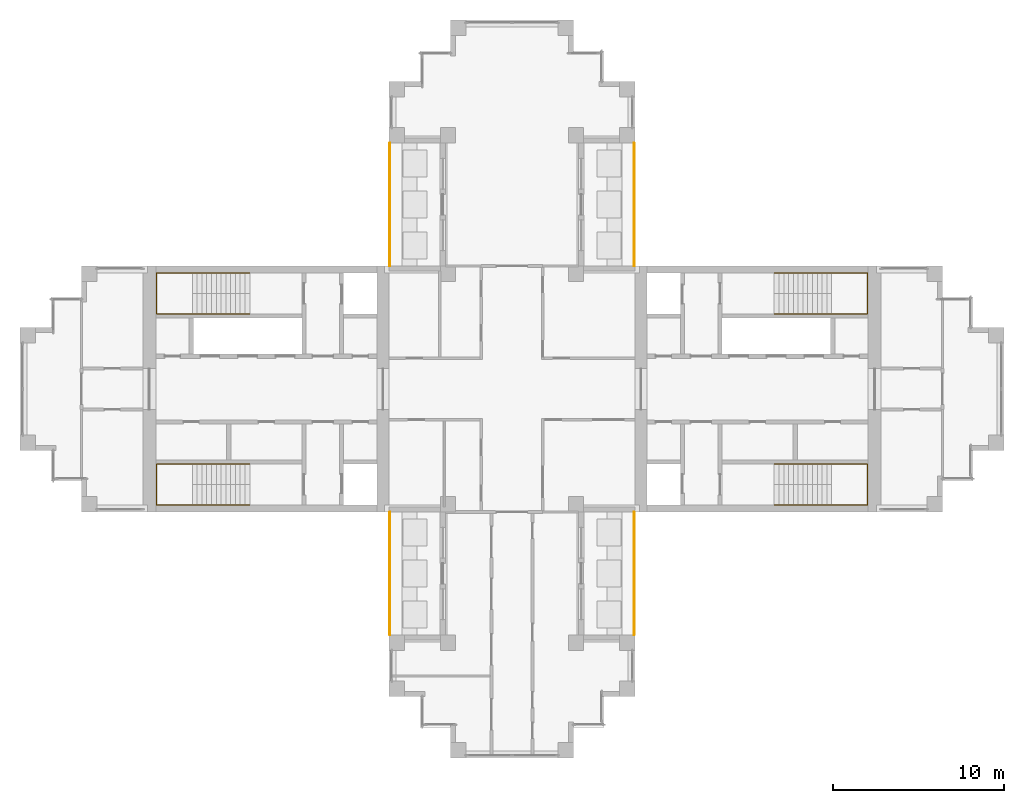
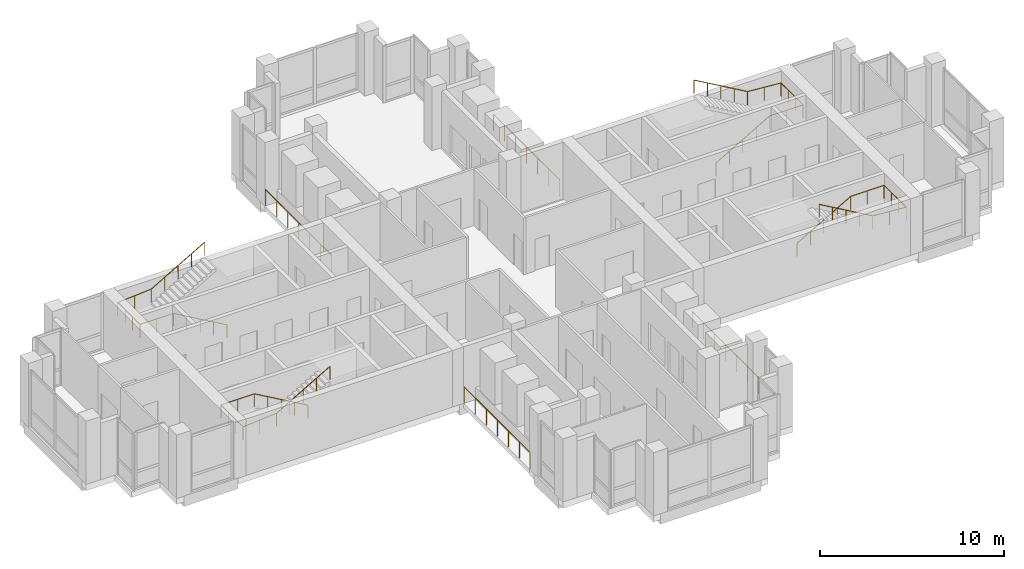
# One storey, part 12 of 13: 8 railings.
"""IFC4 building model written with IfcOpenShell, lengths in metres."""

import ifcopenshell
import ifcopenshell.guid

model = None  # the IFC model being written
_history = None  # IfcOwnerHistory: only IFC2X3 demands one
_inside = {}  # id of a spatial element -> (the spatial element, [elements in it])
_under = {}  # id of a project, library or spatial element -> (it, [spatial elements below it])
_declared = {}  # id of a project -> (the project, [libraries it declares])
_typed = {}  # id of a type object -> (the type object, [elements of that type])
_made_of = {}  # id of a material, layer set ... -> (it, [elements and type objects made of it])


def new_model(schema):
    """Start an empty IFC model of exactly this schema.

    Asked for "IFC4X3", IfcOpenShell would pick the latest addendum, in which some entities
    have other attributes; the version numbers below select the first issue.
    IFC2X3 requires an IfcOwnerHistory on every rooted entity: one is made here for all.
    """
    global model, _history
    if schema == "IFC4X3":
        model = ifcopenshell.file(schema_version=(4, 3, 0, 0))
    else:
        model = ifcopenshell.file(schema=schema)
    _inside.clear()
    _under.clear()
    _declared.clear()
    _typed.clear()
    _made_of.clear()
    _history = None
    if model.schema == "IFC2X3":
        org = make("IfcOrganization", Name="unknown")
        user = make(
            "IfcPersonAndOrganization",
            ThePerson=make("IfcPerson", FamilyName="unknown"),
            TheOrganization=org,
        )
        app = make(
            "IfcApplication",
            ApplicationDeveloper=org,
            Version="unknown",
            ApplicationFullName="unknown",
            ApplicationIdentifier="unknown",
        )
        _history = make(
            "IfcOwnerHistory",
            OwningUser=user,
            OwningApplication=app,
            ChangeAction="ADDED",
            CreationDate=0,
        )
    return model


def make(cls, **values):
    """One entity of the class cls with the attributes given. An attribute that is None is left unset."""
    return model.create_entity(
        cls, **{name: value for name, value in values.items() if value is not None}
    )


def rooted(cls, **values):
    """An entity with a GlobalId (a new one), such as an element, a storey or a relation."""
    return make(cls, GlobalId=ifcopenshell.guid.new(), OwnerHistory=_history, **values)


def si_unit(unit_type, name, prefix=None):
    """IfcSIUnit, for example si_unit("LENGTHUNIT", "METRE", prefix="MILLI")."""
    return make("IfcSIUnit", UnitType=unit_type, Prefix=prefix, Name=name)


def assignment(units):
    """IfcUnitAssignment: the units of a project."""
    return None if units is None else make("IfcUnitAssignment", Units=units)


def point(xyz):
    """IfcCartesianPoint."""
    return None if xyz is None else make("IfcCartesianPoint", Coordinates=xyz)


def direction(xyz):
    """IfcDirection."""
    return None if xyz is None else make("IfcDirection", DirectionRatios=xyz)


def frame(location, z_axis=None, x_axis=None):
    """IfcAxis2Placement3D, a coordinate frame: its origin and axes. An axis left out is left unset."""
    return make(
        "IfcAxis2Placement3D",
        Location=point(location),
        Axis=direction(z_axis),
        RefDirection=direction(x_axis),
    )


def frame_2d(location, x_axis=None):
    """IfcAxis2Placement2D, a coordinate frame in the plane: its origin and x axis."""
    return make(
        "IfcAxis2Placement2D", Location=point(location), RefDirection=direction(x_axis)
    )


def origin():
    """The frame at (0, 0, 0) with its axes left unset."""
    return frame((0.0, 0.0, 0.0))


def origin_2d():
    """The frame at (0, 0) in the plane with its x axis left unset."""
    return frame_2d((0.0, 0.0))


def place(relative_to, where):
    """IfcLocalPlacement: puts the frame where relative to a parent placement (None: the world)."""
    return make(
        "IfcLocalPlacement", PlacementRelTo=relative_to, RelativePlacement=where
    )


def context(
    kind, dimensions, precision=None, world=None, true_north=None, identifier=None
):
    """IfcGeometricRepresentationContext, for example the 3D "Model" context."""
    return make(
        "IfcGeometricRepresentationContext",
        ContextIdentifier=identifier,
        ContextType=kind,
        CoordinateSpaceDimension=dimensions,
        Precision=precision,
        WorldCoordinateSystem=world,
        TrueNorth=true_north,
    )


def subcontext(parent, identifier, kind, view, scale=None):
    """IfcGeometricRepresentationSubContext, for example "Body" below "Model"."""
    return make(
        "IfcGeometricRepresentationSubContext",
        ContextIdentifier=identifier,
        ContextType=kind,
        ParentContext=parent,
        TargetScale=scale,
        TargetView=view,
    )


def project(units=None, contexts=None):
    """IfcProject with its units and contexts."""
    return rooted(
        "IfcProject",
        Name="project",
        RepresentationContexts=contexts,
        UnitsInContext=assignment(units),
    )


def spatial(cls, under=None, at=None, **own):
    """A site, building, storey or space (cls), placed at a placement, below another one or the project."""
    s = rooted(cls, ObjectPlacement=at, **own)
    if under is not None:
        _under.setdefault(under.id(), (under, []))[1].append(s)
    return s


def profile(cls, at=None, kind="AREA", **sizes):
    """A parametric profile (cls). Its sizes go by their IFC names, for example OverallWidth=200.0."""
    return make(cls, ProfileType=kind, Position=at, **sizes)


def circle(**sizes):
    """IfcCircleProfileDef."""
    return profile("IfcCircleProfileDef", **sizes)


def extrude(swept, where, along, depth):
    """IfcExtrudedAreaSolid: the profile swept, set in the frame where, extruded along a direction by depth."""
    return make(
        "IfcExtrudedAreaSolid",
        SweptArea=swept,
        Position=where,
        ExtrudedDirection=direction(along),
        Depth=depth,
    )


def shape(context_of_items, identifier, shape_type, items):
    """IfcShapeRepresentation: the items that make up one representation, for example the "Body"."""
    return make(
        "IfcShapeRepresentation",
        ContextOfItems=context_of_items,
        RepresentationIdentifier=identifier,
        RepresentationType=shape_type,
        Items=items,
    )


def material(Name=None, Category=None):
    """IfcMaterial."""
    return make("IfcMaterial", Name=Name, Category=Category)


def made_of(thing, what):
    """Note that an element or type object is made of a material, layer set ...; save() writes the relation."""
    if what is not None:
        _made_of.setdefault(what.id(), (what, []))[1].append(thing)
    return thing


def type_object(cls, material=None, **own):
    """A type object (cls), such as IfcWallType, which elements share."""
    return made_of(rooted(cls, **own), material)


def element(
    cls,
    number,
    at=None,
    inside=None,
    cuts=None,
    type_object=None,
    material=None,
    context=None,
    identifier="Body",
    shape_type=None,
    held_by="IfcProductDefinitionShape",
    body=None,
    shapes=None,
    **own,
):
    """One element of the class cls, such as IfcWall. Its Tag is "e" and its number.

    at: its placement. inside: the storey or other place that contains it. cuts: it is an
    opening in that element (IfcRelVoidsElement). A single representation is given by context,
    identifier, shape_type and body (its items); several are given by shapes. held_by: the class
    of the entity that holds the representations. save() writes the other relations.
    """
    e = rooted(cls, Tag="e%d" % number, ObjectPlacement=at, **own)
    if body is not None:
        shapes = [shape(context, identifier, shape_type, body)]
    if shapes is not None:
        e.Representation = make(held_by, Representations=shapes)
    if inside is not None:
        _inside.setdefault(inside.id(), (inside, []))[1].append(e)
    if cuts is not None:
        rooted(
            "IfcRelVoidsElement", RelatingBuildingElement=cuts, RelatedOpeningElement=e
        )
    if type_object is not None:
        _typed.setdefault(type_object.id(), (type_object, []))[1].append(e)
    return made_of(e, material)


def aggregate(whole, parts):
    """IfcRelAggregates: a whole, such as a stair, and the parts it consists of."""
    return rooted("IfcRelAggregates", RelatingObject=whole, RelatedObjects=parts)


def save(model, path):
    """Write the relations noted so far, then the file.

    IfcRelAggregates (storeys below a building ...), IfcRelContainedInSpatialStructure (elements
    in a storey), IfcRelDefinesByType, IfcRelAssociatesMaterial and IfcRelDeclares: one each for
    every whole, place, type object, material and project.
    """
    for whole, parts in _under.values():
        aggregate(whole, parts)
    for where, things in _inside.values():
        rooted(
            "IfcRelContainedInSpatialStructure",
            RelatedElements=things,
            RelatingStructure=where,
        )
    for kind, things in _typed.values():
        rooted("IfcRelDefinesByType", RelatedObjects=things, RelatingType=kind)
    for what, things in _made_of.values():
        rooted("IfcRelAssociatesMaterial", RelatedObjects=things, RelatingMaterial=what)
    for by, libraries in _declared.values():
        rooted("IfcRelDeclares", RelatingContext=by, RelatedDefinitions=libraries)
    model.write(path)


model = new_model("IFC4")

# Units and contexts
model_context = context("Model", 3, precision=1e-05, world=origin(), true_north=direction((0.0, 1.0)))
body_context = subcontext(model_context, "Body", "Model", "MODEL_VIEW")
ifc_project = project(units=[si_unit("LENGTHUNIT", "METRE"), si_unit("AREAUNIT", "SQUARE_METRE"), si_unit("VOLUMEUNIT", "CUBIC_METRE"), si_unit("PLANEANGLEUNIT", "RADIAN"), si_unit("MASSUNIT", "GRAM", prefix="KILO")], contexts=[model_context])

# Site, building, storey
site_placement = place(None, origin())
site = spatial("IfcSite", under=ifc_project, at=site_placement, CompositionType="ELEMENT")
building_placement = place(site_placement, origin())
building = spatial("IfcBuilding", under=site, at=building_placement, Name="Fustian Cross Tower", CompositionType="ELEMENT")
storey_placement = place(building_placement, frame((0.0, 0.0, 237.89990234375)))
storey = spatial("IfcBuildingStorey", under=building, at=storey_placement, Name="L75", CompositionType="ELEMENT", Elevation=237.89990234375)

# Railings
ifc_material_1 = material(Name="Stainless steel and glass", Category="steel")
railing_type_1 = type_object("IfcRailingType", Name="GR1 BALCONY GUARD 1100", PredefinedType="GUARDRAIL", material=ifc_material_1)
for number, where, name in (
    (1, (7.14990234375, 7.199951171875, 0.0), "Balcony guard"),
    (2, (-7.14990234375, 7.199951171875, 0.0), "Balcony guard"),
    (3, (7.14990234375, -14.39990234375, 0.0), "Balcony guard"),
    (4, (-7.14990234375, -14.39990234375, 0.0), "Balcony guard"),
):
    element("IfcRailing", number, at=place(storey_placement, frame(where)), inside=storey, type_object=railing_type_1, Name=name, PredefinedType="GUARDRAIL", context=body_context, shape_type="SweptSolid", body=[
        extrude(circle(Radius=0.02392578125, at=origin_2d()), frame((0.0, 0.0, 1.076171875), z_axis=(0.0, 1.0, 0.0), x_axis=(-1.0, 0.0, 0.0)), (0.0, 0.0, 1.0), 7.199951171875),
        extrude(circle(Radius=0.02099609375, at=origin_2d()), origin(), (0.0, 0.0, 1.0), 1.052001953125),
        extrude(circle(Radius=0.02099609375, at=origin_2d()), frame((0.0, 1.199951171875, 0.0)), (0.0, 0.0, 1.0), 1.052001953125),
        extrude(circle(Radius=0.02099609375, at=origin_2d()), frame((0.0, 2.39990234375, 0.0)), (0.0, 0.0, 1.0), 1.052001953125),
        extrude(circle(Radius=0.02099609375, at=origin_2d()), frame((0.0, 3.60009765625, 0.0)), (0.0, 0.0, 1.0), 1.052001953125),
        extrude(circle(Radius=0.02099609375, at=origin_2d()), frame((0.0, 4.800048828125, 0.0)), (0.0, 0.0, 1.0), 1.052001953125),
        extrude(circle(Radius=0.02099609375, at=origin_2d()), frame((0.0, 6.0, 0.0)), (0.0, 0.0, 1.0), 1.052001953125),
        extrude(circle(Radius=0.02099609375, at=origin_2d()), frame((0.0, 7.199951171875, 0.0)), (0.0, 0.0, 1.0), 1.052001953125),
    ])
ifc_material_2 = material(Name="Stainless steel", Category="steel")
railing_type_2 = type_object("IfcRailingType", Name="STAIR HANDRAIL", PredefinedType="HANDRAIL", material=ifc_material_2)
railing_1_placement = place(storey_placement, frame((15.35009765625, 4.39990234375, 0.16162109375)))
element("IfcRailing", 5, at=railing_1_placement, inside=storey, type_object=railing_type_2, Name="Stair ST1 handrail 1", PredefinedType="HANDRAIL", context=body_context, shape_type="SweptSolid", body=[
    extrude(circle(Radius=0.02490234375, at=origin_2d()), frame((0.0, 0.0, 0.875), z_axis=(0.866175107563, 0.0, 0.499740615757), x_axis=(0.0, 1.0, 0.0)), (0.0, 0.0, 1.0), 3.87890625),
    extrude(circle(Radius=0.02490234375, at=origin_2d()), frame((3.35986328125, 0.0, 2.8134765625), z_axis=(1.0, 0.0, 0.0), x_axis=(0.0, 1.0, 0.0)), (0.0, 0.0, 1.0), 2.10009765625),
    extrude(circle(Radius=0.02490234375, at=origin_2d()), frame((5.4599609375, 0.0, 2.8134765625), z_axis=(0.0, 1.0, 0.0), x_axis=(-1.0, 0.0, 0.0)), (0.0, 0.0, 1.0), 2.400146484375),
    extrude(circle(Radius=0.02490234375, at=origin_2d()), frame((5.4599609375, 2.400146484375, 2.8134765625), z_axis=(-0.997051757594, 0.0, 0.076731953444), x_axis=(0.0, -1.0, 0.0)), (0.0, 0.0, 1.0), 2.106201171875),
    extrude(circle(Radius=0.02490234375, at=origin_2d()), frame((3.35986328125, 2.400146484375, 2.97509765625), z_axis=(-0.866175107563, 0.0, 0.499740615757), x_axis=(0.0, -1.0, 0.0)), (0.0, 0.0, 1.0), 3.87890625),
    extrude(circle(Radius=0.02001953125, at=origin_2d()), origin(), (0.0, 0.0, 1.0), 0.849853515625),
    extrude(circle(Radius=0.02001953125, at=origin_2d()), frame((0.83984375, 0.0, 0.484619140625)), (0.0, 0.0, 1.0), 0.849853515625),
    extrude(circle(Radius=0.02001953125, at=origin_2d()), frame((1.679931640625, 0.0, 0.96923828125)), (0.0, 0.0, 1.0), 0.849853515625),
    extrude(circle(Radius=0.02001953125, at=origin_2d()), frame((2.52001953125, 0.0, 1.453857421875)), (0.0, 0.0, 1.0), 0.849853515625),
    extrude(circle(Radius=0.02001953125, at=origin_2d()), frame((3.35986328125, 0.0, 1.9384765625)), (0.0, 0.0, 1.0), 0.849853515625),
    extrude(circle(Radius=0.02001953125, at=origin_2d()), frame((4.409912109375, 0.0, 1.9384765625)), (0.0, 0.0, 1.0), 0.849853515625),
    extrude(circle(Radius=0.02001953125, at=origin_2d()), frame((5.4599609375, 0.0, 1.9384765625)), (0.0, 0.0, 1.0), 0.849853515625),
    extrude(circle(Radius=0.02001953125, at=origin_2d()), frame((5.4599609375, 0.800048828125, 1.9384765625)), (0.0, 0.0, 1.0), 0.849853515625),
    extrude(circle(Radius=0.02001953125, at=origin_2d()), frame((5.4599609375, 1.60009765625, 1.9384765625)), (0.0, 0.0, 1.0), 0.849853515625),
    extrude(circle(Radius=0.02001953125, at=origin_2d()), frame((5.4599609375, 2.400146484375, 1.9384765625)), (0.0, 0.0, 1.0), 0.849853515625),
    extrude(circle(Radius=0.02001953125, at=origin_2d()), frame((4.409912109375, 2.400146484375, 2.019287109375)), (0.0, 0.0, 1.0), 0.849853515625),
    extrude(circle(Radius=0.02001953125, at=origin_2d()), frame((3.35986328125, 2.400146484375, 2.10009765625)), (0.0, 0.0, 1.0), 0.849853515625),
    extrude(circle(Radius=0.02001953125, at=origin_2d()), frame((2.52001953125, 2.400146484375, 2.584716796875)), (0.0, 0.0, 1.0), 0.849853515625),
    extrude(circle(Radius=0.02001953125, at=origin_2d()), frame((1.679931640625, 2.400146484375, 3.0693359375)), (0.0, 0.0, 1.0), 0.849853515625),
    extrude(circle(Radius=0.02001953125, at=origin_2d()), frame((0.83984375, 2.400146484375, 3.553955078125)), (0.0, 0.0, 1.0), 0.849853515625),
    extrude(circle(Radius=0.02001953125, at=origin_2d()), frame((0.0, 2.400146484375, 4.03857421875)), (0.0, 0.0, 1.0), 0.849853515625),
])
railing_2_placement = place(storey_placement, frame((15.35009765625, -4.39990234375, 0.16162109375)))
element("IfcRailing", 6, at=railing_2_placement, inside=storey, type_object=railing_type_2, Name="Stair ST2 handrail 1", PredefinedType="HANDRAIL", context=body_context, shape_type="SweptSolid", body=[
    extrude(circle(Radius=0.02490234375, at=origin_2d()), frame((0.0, 0.0, 0.875), z_axis=(0.866175107563, 0.0, 0.499740615757), x_axis=(0.0, 1.0, 0.0)), (0.0, 0.0, 1.0), 3.87890625),
    extrude(circle(Radius=0.02490234375, at=origin_2d()), frame((3.35986328125, 0.0, 2.8134765625), z_axis=(1.0, 0.0, 0.0), x_axis=(0.0, 1.0, 0.0)), (0.0, 0.0, 1.0), 2.10009765625),
    extrude(circle(Radius=0.02490234375, at=origin_2d()), frame((5.4599609375, 0.0, 2.8134765625), z_axis=(0.0, -1.0, 0.0), x_axis=(1.0, 0.0, 0.0)), (0.0, 0.0, 1.0), 2.400146484375),
    extrude(circle(Radius=0.02490234375, at=origin_2d()), frame((5.4599609375, -2.400146484375, 2.8134765625), z_axis=(-0.997051757594, 0.0, 0.076731953444), x_axis=(0.0, -1.0, 0.0)), (0.0, 0.0, 1.0), 2.106201171875),
    extrude(circle(Radius=0.02490234375, at=origin_2d()), frame((3.35986328125, -2.400146484375, 2.97509765625), z_axis=(-0.866175107563, 0.0, 0.499740615757), x_axis=(0.0, -1.0, 0.0)), (0.0, 0.0, 1.0), 3.87890625),
    extrude(circle(Radius=0.02001953125, at=origin_2d()), origin(), (0.0, 0.0, 1.0), 0.849853515625),
    extrude(circle(Radius=0.02001953125, at=origin_2d()), frame((0.83984375, 0.0, 0.484619140625)), (0.0, 0.0, 1.0), 0.849853515625),
    extrude(circle(Radius=0.02001953125, at=origin_2d()), frame((1.679931640625, 0.0, 0.96923828125)), (0.0, 0.0, 1.0), 0.849853515625),
    extrude(circle(Radius=0.02001953125, at=origin_2d()), frame((2.52001953125, 0.0, 1.453857421875)), (0.0, 0.0, 1.0), 0.849853515625),
    extrude(circle(Radius=0.02001953125, at=origin_2d()), frame((3.35986328125, 0.0, 1.9384765625)), (0.0, 0.0, 1.0), 0.849853515625),
    extrude(circle(Radius=0.02001953125, at=origin_2d()), frame((4.409912109375, 0.0, 1.9384765625)), (0.0, 0.0, 1.0), 0.849853515625),
    extrude(circle(Radius=0.02001953125, at=origin_2d()), frame((5.4599609375, 0.0, 1.9384765625)), (0.0, 0.0, 1.0), 0.849853515625),
    extrude(circle(Radius=0.02001953125, at=origin_2d()), frame((5.4599609375, -0.800048828125, 1.9384765625)), (0.0, 0.0, 1.0), 0.849853515625),
    extrude(circle(Radius=0.02001953125, at=origin_2d()), frame((5.4599609375, -1.60009765625, 1.9384765625)), (0.0, 0.0, 1.0), 0.849853515625),
    extrude(circle(Radius=0.02001953125, at=origin_2d()), frame((5.4599609375, -2.400146484375, 1.9384765625)), (0.0, 0.0, 1.0), 0.849853515625),
    extrude(circle(Radius=0.02001953125, at=origin_2d()), frame((4.409912109375, -2.400146484375, 2.019287109375)), (0.0, 0.0, 1.0), 0.849853515625),
    extrude(circle(Radius=0.02001953125, at=origin_2d()), frame((3.35986328125, -2.400146484375, 2.10009765625)), (0.0, 0.0, 1.0), 0.849853515625),
    extrude(circle(Radius=0.02001953125, at=origin_2d()), frame((2.52001953125, -2.400146484375, 2.584716796875)), (0.0, 0.0, 1.0), 0.849853515625),
    extrude(circle(Radius=0.02001953125, at=origin_2d()), frame((1.679931640625, -2.400146484375, 3.0693359375)), (0.0, 0.0, 1.0), 0.849853515625),
    extrude(circle(Radius=0.02001953125, at=origin_2d()), frame((0.83984375, -2.400146484375, 3.553955078125)), (0.0, 0.0, 1.0), 0.849853515625),
    extrude(circle(Radius=0.02001953125, at=origin_2d()), frame((0.0, -2.400146484375, 4.03857421875)), (0.0, 0.0, 1.0), 0.849853515625),
])
railing_3_placement = place(storey_placement, frame((-15.35009765625, 4.39990234375, 0.16162109375)))
element("IfcRailing", 7, at=railing_3_placement, inside=storey, type_object=railing_type_2, Name="Stair ST3 handrail 1", PredefinedType="HANDRAIL", context=body_context, shape_type="SweptSolid", body=[
    extrude(circle(Radius=0.02490234375, at=origin_2d()), frame((0.0, 0.0, 0.875), z_axis=(-0.866175107563, 0.0, 0.499740615757), x_axis=(0.0, -1.0, 0.0)), (0.0, 0.0, 1.0), 3.87890625),
    extrude(circle(Radius=0.02490234375, at=origin_2d()), frame((-3.35986328125, 0.0, 2.8134765625), z_axis=(-1.0, 0.0, 0.0), x_axis=(0.0, -1.0, 0.0)), (0.0, 0.0, 1.0), 2.10009765625),
    extrude(circle(Radius=0.02490234375, at=origin_2d()), frame((-5.4599609375, 0.0, 2.8134765625), z_axis=(0.0, 1.0, 0.0), x_axis=(-1.0, 0.0, 0.0)), (0.0, 0.0, 1.0), 2.400146484375),
    extrude(circle(Radius=0.02490234375, at=origin_2d()), frame((-5.4599609375, 2.400146484375, 2.8134765625), z_axis=(0.997051757594, 0.0, 0.076731953444), x_axis=(0.0, 1.0, 0.0)), (0.0, 0.0, 1.0), 2.106201171875),
    extrude(circle(Radius=0.02490234375, at=origin_2d()), frame((-3.35986328125, 2.400146484375, 2.97509765625), z_axis=(0.866175107563, 0.0, 0.499740615757), x_axis=(0.0, 1.0, 0.0)), (0.0, 0.0, 1.0), 3.87890625),
    extrude(circle(Radius=0.02001953125, at=origin_2d()), origin(), (0.0, 0.0, 1.0), 0.849853515625),
    extrude(circle(Radius=0.02001953125, at=origin_2d()), frame((-0.83984375, 0.0, 0.484619140625)), (0.0, 0.0, 1.0), 0.849853515625),
    extrude(circle(Radius=0.02001953125, at=origin_2d()), frame((-1.679931640625, 0.0, 0.96923828125)), (0.0, 0.0, 1.0), 0.849853515625),
    extrude(circle(Radius=0.02001953125, at=origin_2d()), frame((-2.52001953125, 0.0, 1.453857421875)), (0.0, 0.0, 1.0), 0.849853515625),
    extrude(circle(Radius=0.02001953125, at=origin_2d()), frame((-3.35986328125, 0.0, 1.9384765625)), (0.0, 0.0, 1.0), 0.849853515625),
    extrude(circle(Radius=0.02001953125, at=origin_2d()), frame((-4.409912109375, 0.0, 1.9384765625)), (0.0, 0.0, 1.0), 0.849853515625),
    extrude(circle(Radius=0.02001953125, at=origin_2d()), frame((-5.4599609375, 0.0, 1.9384765625)), (0.0, 0.0, 1.0), 0.849853515625),
    extrude(circle(Radius=0.02001953125, at=origin_2d()), frame((-5.4599609375, 0.800048828125, 1.9384765625)), (0.0, 0.0, 1.0), 0.849853515625),
    extrude(circle(Radius=0.02001953125, at=origin_2d()), frame((-5.4599609375, 1.60009765625, 1.9384765625)), (0.0, 0.0, 1.0), 0.849853515625),
    extrude(circle(Radius=0.02001953125, at=origin_2d()), frame((-5.4599609375, 2.400146484375, 1.9384765625)), (0.0, 0.0, 1.0), 0.849853515625),
    extrude(circle(Radius=0.02001953125, at=origin_2d()), frame((-4.409912109375, 2.400146484375, 2.019287109375)), (0.0, 0.0, 1.0), 0.849853515625),
    extrude(circle(Radius=0.02001953125, at=origin_2d()), frame((-3.35986328125, 2.400146484375, 2.10009765625)), (0.0, 0.0, 1.0), 0.849853515625),
    extrude(circle(Radius=0.02001953125, at=origin_2d()), frame((-2.52001953125, 2.400146484375, 2.584716796875)), (0.0, 0.0, 1.0), 0.849853515625),
    extrude(circle(Radius=0.02001953125, at=origin_2d()), frame((-1.679931640625, 2.400146484375, 3.0693359375)), (0.0, 0.0, 1.0), 0.849853515625),
    extrude(circle(Radius=0.02001953125, at=origin_2d()), frame((-0.83984375, 2.400146484375, 3.553955078125)), (0.0, 0.0, 1.0), 0.849853515625),
    extrude(circle(Radius=0.02001953125, at=origin_2d()), frame((0.0, 2.400146484375, 4.03857421875)), (0.0, 0.0, 1.0), 0.849853515625),
])
railing_4_placement = place(storey_placement, frame((-15.35009765625, -4.39990234375, 0.16162109375)))
element("IfcRailing", 8, at=railing_4_placement, inside=storey, type_object=railing_type_2, Name="Stair ST4 handrail 1", PredefinedType="HANDRAIL", context=body_context, shape_type="SweptSolid", body=[
    extrude(circle(Radius=0.02490234375, at=origin_2d()), frame((0.0, 0.0, 0.875), z_axis=(-0.866175107563, 0.0, 0.499740615757), x_axis=(0.0, -1.0, 0.0)), (0.0, 0.0, 1.0), 3.87890625),
    extrude(circle(Radius=0.02490234375, at=origin_2d()), frame((-3.35986328125, 0.0, 2.8134765625), z_axis=(-1.0, 0.0, 0.0), x_axis=(0.0, -1.0, 0.0)), (0.0, 0.0, 1.0), 2.10009765625),
    extrude(circle(Radius=0.02490234375, at=origin_2d()), frame((-5.4599609375, 0.0, 2.8134765625), z_axis=(0.0, -1.0, 0.0), x_axis=(1.0, 0.0, 0.0)), (0.0, 0.0, 1.0), 2.400146484375),
    extrude(circle(Radius=0.02490234375, at=origin_2d()), frame((-5.4599609375, -2.400146484375, 2.8134765625), z_axis=(0.997051757594, 0.0, 0.076731953444), x_axis=(0.0, 1.0, 0.0)), (0.0, 0.0, 1.0), 2.106201171875),
    extrude(circle(Radius=0.02490234375, at=origin_2d()), frame((-3.35986328125, -2.400146484375, 2.97509765625), z_axis=(0.866175107563, 0.0, 0.499740615757), x_axis=(0.0, 1.0, 0.0)), (0.0, 0.0, 1.0), 3.87890625),
    extrude(circle(Radius=0.02001953125, at=origin_2d()), origin(), (0.0, 0.0, 1.0), 0.849853515625),
    extrude(circle(Radius=0.02001953125, at=origin_2d()), frame((-0.83984375, 0.0, 0.484619140625)), (0.0, 0.0, 1.0), 0.849853515625),
    extrude(circle(Radius=0.02001953125, at=origin_2d()), frame((-1.679931640625, 0.0, 0.96923828125)), (0.0, 0.0, 1.0), 0.849853515625),
    extrude(circle(Radius=0.02001953125, at=origin_2d()), frame((-2.52001953125, 0.0, 1.453857421875)), (0.0, 0.0, 1.0), 0.849853515625),
    extrude(circle(Radius=0.02001953125, at=origin_2d()), frame((-3.35986328125, 0.0, 1.9384765625)), (0.0, 0.0, 1.0), 0.849853515625),
    extrude(circle(Radius=0.02001953125, at=origin_2d()), frame((-4.409912109375, 0.0, 1.9384765625)), (0.0, 0.0, 1.0), 0.849853515625),
    extrude(circle(Radius=0.02001953125, at=origin_2d()), frame((-5.4599609375, 0.0, 1.9384765625)), (0.0, 0.0, 1.0), 0.849853515625),
    extrude(circle(Radius=0.02001953125, at=origin_2d()), frame((-5.4599609375, -0.800048828125, 1.9384765625)), (0.0, 0.0, 1.0), 0.849853515625),
    extrude(circle(Radius=0.02001953125, at=origin_2d()), frame((-5.4599609375, -1.60009765625, 1.9384765625)), (0.0, 0.0, 1.0), 0.849853515625),
    extrude(circle(Radius=0.02001953125, at=origin_2d()), frame((-5.4599609375, -2.400146484375, 1.9384765625)), (0.0, 0.0, 1.0), 0.849853515625),
    extrude(circle(Radius=0.02001953125, at=origin_2d()), frame((-4.409912109375, -2.400146484375, 2.019287109375)), (0.0, 0.0, 1.0), 0.849853515625),
    extrude(circle(Radius=0.02001953125, at=origin_2d()), frame((-3.35986328125, -2.400146484375, 2.10009765625)), (0.0, 0.0, 1.0), 0.849853515625),
    extrude(circle(Radius=0.02001953125, at=origin_2d()), frame((-2.52001953125, -2.400146484375, 2.584716796875)), (0.0, 0.0, 1.0), 0.849853515625),
    extrude(circle(Radius=0.02001953125, at=origin_2d()), frame((-1.679931640625, -2.400146484375, 3.0693359375)), (0.0, 0.0, 1.0), 0.849853515625),
    extrude(circle(Radius=0.02001953125, at=origin_2d()), frame((-0.83984375, -2.400146484375, 3.553955078125)), (0.0, 0.0, 1.0), 0.849853515625),
    extrude(circle(Radius=0.02001953125, at=origin_2d()), frame((0.0, -2.400146484375, 4.03857421875)), (0.0, 0.0, 1.0), 0.849853515625),
])

save(model, "model.ifc")
